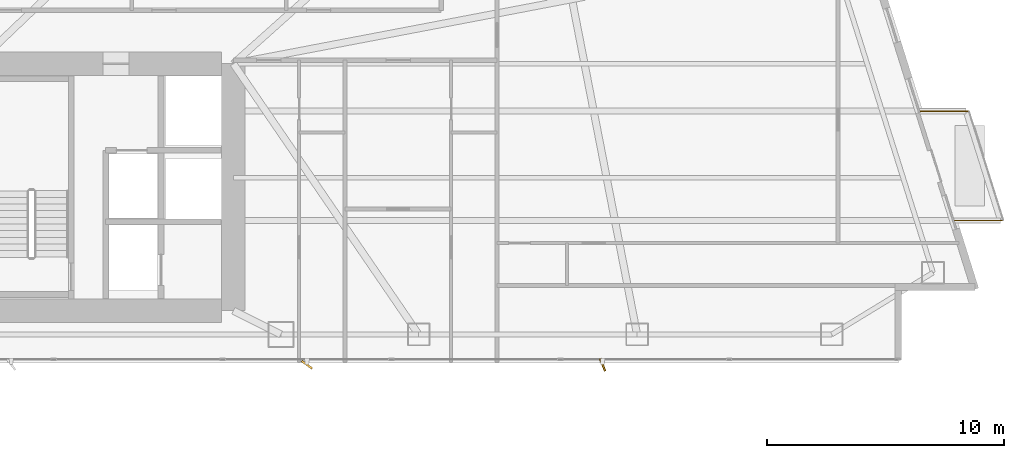
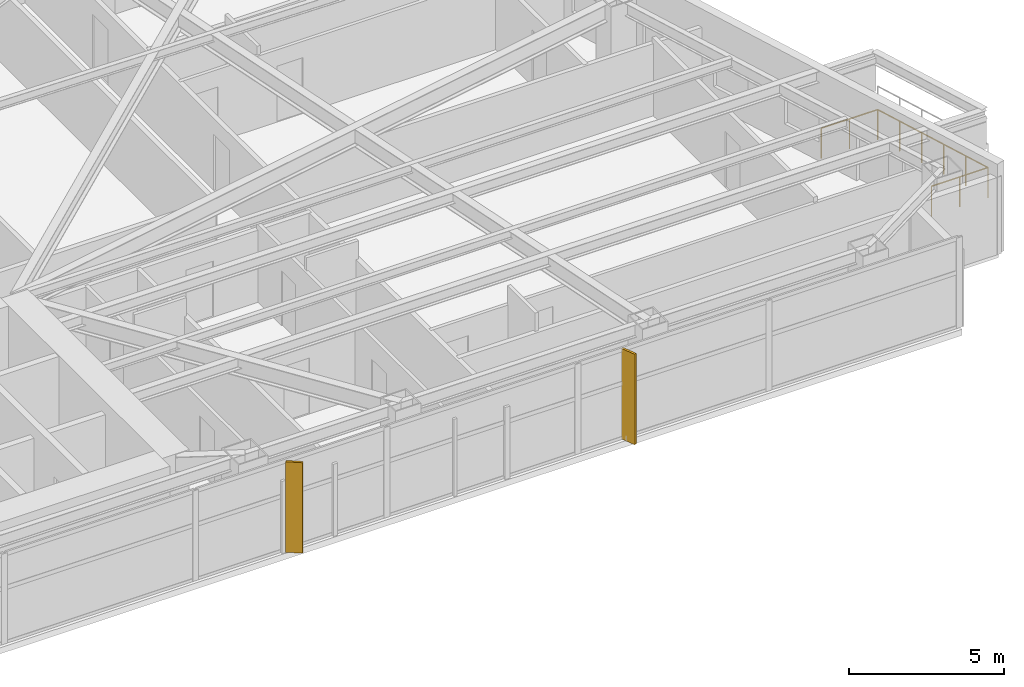
# One storey, part 29 of 30: 2 shading devices, 1 railing.
"""IFC4 building model written with IfcOpenShell, lengths in metres."""

from ifc_helpers import new_model, si_unit, direction, frame, origin, origin_2d, place, context, subcontext, project, spatial, rectangle, circle, extrude, material, type_object, element, save


model = new_model("IFC4")

# Units and contexts
model_context = context("Model", 3, precision=1e-05, world=origin(), true_north=direction((0.0, 1.0)))
body_context = subcontext(model_context, "Body", "Model", "MODEL_VIEW")
ifc_project = project(units=[si_unit("LENGTHUNIT", "METRE"), si_unit("AREAUNIT", "SQUARE_METRE"), si_unit("VOLUMEUNIT", "CUBIC_METRE"), si_unit("PLANEANGLEUNIT", "RADIAN"), si_unit("MASSUNIT", "GRAM", prefix="KILO")], contexts=[model_context])

# Site, building, storey
site_placement = place(None, origin())
site = spatial("IfcSite", under=ifc_project, at=site_placement, CompositionType="ELEMENT")
building_placement = place(site_placement, origin())
building = spatial("IfcBuilding", under=site, at=building_placement, Name="Calvorn Quay Hotel", CompositionType="ELEMENT")
storey_placement = place(building_placement, frame((0.0, 0.0, 73.60009765625)))
storey = spatial("IfcBuildingStorey", under=building, at=storey_placement, Name="L17", CompositionType="ELEMENT", Elevation=73.60009765625)

# Railing
ifc_material_1 = material(Name="Pale Anodised Aluminium and Laminated Glass", Category="aluminium")
railing_type = type_object("IfcRailingType", Name="RLG-BALUSTRADE-1200", PredefinedType="BALUSTRADE", material=ifc_material_1)
railing_placement = place(storey_placement, frame((62.72802734375, 8.39990234375, 0.0)))
element("IfcRailing", 1, at=railing_placement, inside=storey, type_object=railing_type, Name="Tree Balcony Perimeter Balustrade L17-BALC-E", PredefinedType="BALUSTRADE", context=body_context, shape_type="SweptSolid", body=[
    extrude(circle(Radius=0.02392578125, at=origin_2d()), frame((0.0, 0.0, 1.17578125), z_axis=(1.0, 0.0, 0.0), x_axis=(0.0, 1.0, 0.0)), (0.0, 0.0, 1.0), 2.099853515625),
    extrude(circle(Radius=0.02392578125, at=origin_2d()), frame((2.099853515625, 0.0, 1.17578125), z_axis=(-0.300620172346, 0.953743944662, 0.0), x_axis=(-0.953743944662, -0.300620172346, 0.0)), (0.0, 0.0, 1.0), 4.8232421875),
    extrude(circle(Radius=0.02392578125, at=origin_2d()), frame((0.64990234375, 4.60009765625, 1.17578125), z_axis=(-1.0, 0.0, 0.0), x_axis=(0.0, -1.0, 0.0)), (0.0, 0.0, 1.0), 2.099853515625),
    extrude(circle(Radius=0.02099609375, at=origin_2d()), origin(), (0.0, 0.0, 1.0), 1.15185546875),
    extrude(circle(Radius=0.02099609375, at=origin_2d()), frame((1.0498046875, 0.0, 0.0)), (0.0, 0.0, 1.0), 1.15185546875),
    extrude(circle(Radius=0.02099609375, at=origin_2d()), frame((2.099853515625, 0.0, 0.0)), (0.0, 0.0, 1.0), 1.15185546875),
    extrude(circle(Radius=0.02099609375, at=origin_2d()), frame((1.809814453125, 0.919921875, 0.0)), (0.0, 0.0, 1.0), 1.15185546875),
    extrude(circle(Radius=0.02099609375, at=origin_2d()), frame((1.519775390625, 1.840087890625, 0.0)), (0.0, 0.0, 1.0), 1.15185546875),
    extrude(circle(Radius=0.02099609375, at=origin_2d()), frame((1.22998046875, 2.760009765625, 0.0)), (0.0, 0.0, 1.0), 1.15185546875),
    extrude(circle(Radius=0.02099609375, at=origin_2d()), frame((0.93994140625, 3.68017578125, 0.0)), (0.0, 0.0, 1.0), 1.15185546875),
    extrude(circle(Radius=0.02099609375, at=origin_2d()), frame((0.64990234375, 4.60009765625, 0.0)), (0.0, 0.0, 1.0), 1.15185546875),
    extrude(circle(Radius=0.02099609375, at=origin_2d()), frame((-0.39990234375, 4.60009765625, 0.0)), (0.0, 0.0, 1.0), 1.15185546875),
    extrude(circle(Radius=0.02099609375, at=origin_2d()), frame((-1.449951171875, 4.60009765625, 0.0)), (0.0, 0.0, 1.0), 1.15185546875),
])

# Shading devices
ifc_material_2 = material(Name="Champagne Bronze Anodised Aluminium 6063-T6", Category="aluminium")
shading_device_type_1 = type_object("IfcShadingDeviceType", Name="SHD-FIN-A1", PredefinedType="USERDEFINED", material=ifc_material_2)
shading_device_1_placement = place(storey_placement, frame((47.949951171875, 2.320068359375, -0.000244140625), z_axis=(0.0, 0.0, 1.0), x_axis=(-0.374606593416, 0.927183854567, 0.0)))
element("IfcShadingDevice", 2, at=shading_device_1_placement, inside=storey, type_object=shading_device_type_1, Name="Diagonal Sun-Shading Fin L17-S03", ObjectType="FIN", PredefinedType="USERDEFINED", context=body_context, shape_type="SweptSolid", body=[
    extrude(rectangle(XDim=0.550048828125, YDim=0.080078125, at=origin_2d()), origin(), (0.0, 0.0, 1.0), 3.56005859375),
])
ifc_material_3 = material(Name="Champagne Bronze Anodised Aluminium 6063-T6", Category="aluminium")
shading_device_type_2 = type_object("IfcShadingDeviceType", Name="SHD-FIN-A3", PredefinedType="USERDEFINED", material=ifc_material_3)
shading_device_2_placement = place(storey_placement, frame((35.5, 2.320068359375, -0.000244140625), z_axis=(0.0, 0.0, 1.0), x_axis=(-0.809016994375, 0.587785252292, 0.0)))
element("IfcShadingDevice", 3, at=shading_device_2_placement, inside=storey, type_object=shading_device_type_2, Name="Diagonal Sun-Shading Fin L17-S02", ObjectType="FIN", PredefinedType="USERDEFINED", context=body_context, shape_type="SweptSolid", body=[
    extrude(rectangle(XDim=0.550048828125, YDim=0.080078125, at=origin_2d()), origin(), (0.0, 0.0, 1.0), 3.56005859375),
])

save(model, "model.ifc")
